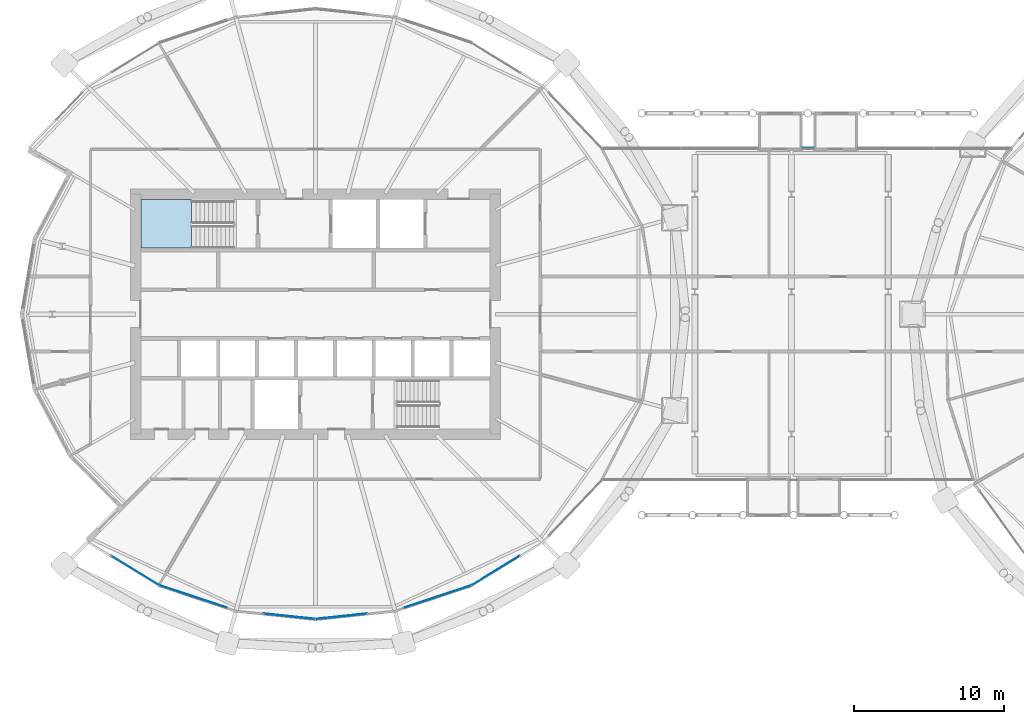
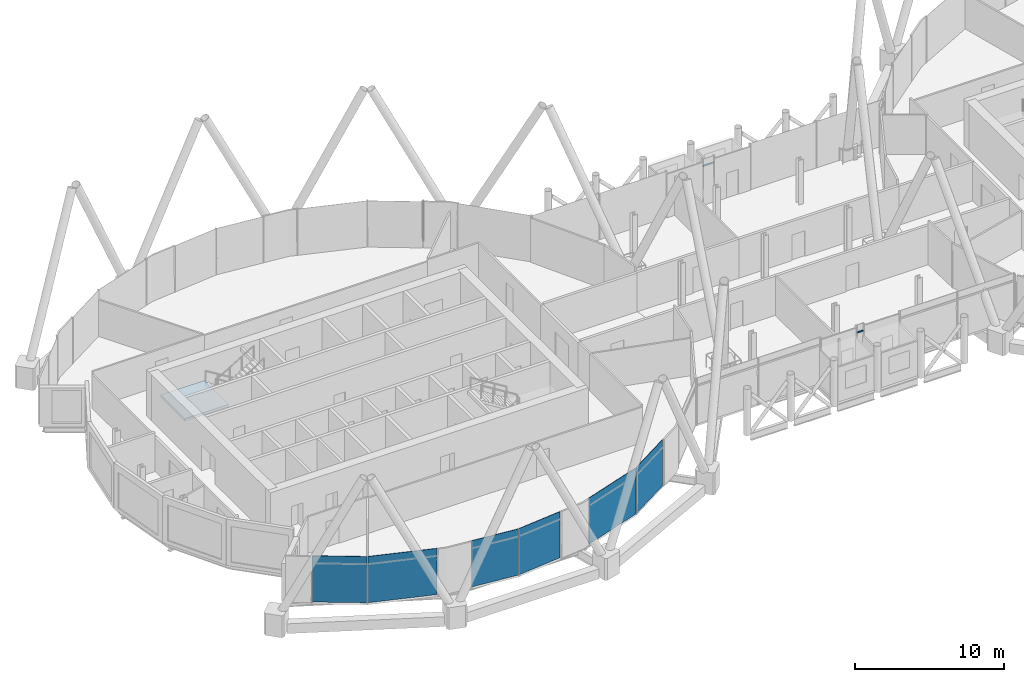
# One storey, part 19 of 35: 6 plates, 2 members, 1 slab, 4 elements without a shape of their own.
"""IFC4 building model written with IfcOpenShell, lengths in metres."""

from ifc_helpers import new_model, si_unit, direction, frame, origin, origin_2d, place, context, subcontext, project, spatial, polyline, rectangle, outline, extrude, material, layer, layer_set, material_profile, profile_set, type_object, element, aggregate, save


model = new_model("IFC4")

# Units and contexts
model_context = context("Model", 3, precision=1e-05, world=origin(), true_north=direction((0.0, 1.0)))
body_context = subcontext(model_context, "Body", "Model", "MODEL_VIEW")
ifc_project = project(units=[si_unit("LENGTHUNIT", "METRE"), si_unit("AREAUNIT", "SQUARE_METRE"), si_unit("VOLUMEUNIT", "CUBIC_METRE"), si_unit("PLANEANGLEUNIT", "RADIAN"), si_unit("MASSUNIT", "GRAM", prefix="KILO")], contexts=[model_context])

# Site, building, storey
site_placement = place(None, origin())
site = spatial("IfcSite", under=ifc_project, at=site_placement, CompositionType="ELEMENT")
building_placement = place(site_placement, origin())
building = spatial("IfcBuilding", under=site, at=building_placement, Name="Rimbun Link Towers", CompositionType="ELEMENT")
storey_placement = place(building_placement, frame((0.0, 0.0, 146.800048828125)))
storey = spatial("IfcBuildingStorey", under=building, at=storey_placement, Name="L35", CompositionType="ELEMENT", Elevation=146.800048828125)

# Curtain wall, member
ifc_material_1 = material(Name="Aluminium 6063-T6 and low-iron glass", Category="aluminium")
curtain_wall_type = type_object("IfcCurtainWallType", Name="CW4 link block wall", PredefinedType="NOTDEFINED", material=ifc_material_1)
curtain_wall_1_placement = place(storey_placement, origin())
curtain_wall_1 = element("IfcCurtainWall", 1, at=curtain_wall_1_placement, inside=storey, type_object=curtain_wall_type, Name="CW4 L35 LB", PredefinedType="NOTDEFINED")
ifc_material_2 = material(Name="Aluminium 6063-T6", Category="aluminium")
ifc_material_profile = material_profile(ifc_material_2, rectangle(XDim=0.06005859375, YDim=0.1201171875, at=origin_2d()), Name="TRANSOM 60X120")
ifc_profile_set = profile_set([ifc_material_profile], Name="Aluminium 6063-T6")
member_type = type_object("IfcMemberType", Name="CW4 transom 60X120", PredefinedType="USERDEFINED", material=ifc_profile_set)
member_1_placement = place(storey_placement, frame((0.6767578125, 11.05810546875, 3.199951171875), z_axis=(1.0, 0.0, 0.0), x_axis=(0.0, 1.0, 0.0)))
member_1 = element("IfcMember", 2, at=member_1_placement, type_object=member_type, Name="CW4 transom", ObjectType="TRANSOM", PredefinedType="USERDEFINED", context=body_context, shape_type="SweptSolid", body=[
    extrude(rectangle(XDim=0.06005859375, YDim=0.1201171875, at=origin_2d()), origin(), (0.0, 0.0, 1.0), 0.830078125),
])
aggregate(curtain_wall_1, [member_1])

curtain_wall_2_placement = place(storey_placement, origin())
curtain_wall_2 = element("IfcCurtainWall", 3, at=curtain_wall_2_placement, inside=storey, type_object=curtain_wall_type, Name="CW4 L35 LB", PredefinedType="NOTDEFINED")
member_2_placement = place(storey_placement, frame((0.38330078125, -11.05810546875, 3.199951171875), z_axis=(-1.0, 0.0, 0.0), x_axis=(0.0, -1.0, 0.0)))
member_2 = element("IfcMember", 4, at=member_2_placement, type_object=member_type, Name="CW4 transom", ObjectType="TRANSOM", PredefinedType="USERDEFINED", context=body_context, shape_type="SweptSolid", body=[
    extrude(rectangle(XDim=0.06005859375, YDim=0.1201171875, at=origin_2d()), origin(), (0.0, 0.0, 1.0), 0.509033203125),
])
aggregate(curtain_wall_2, [member_2])

# Curtain wall, plates
curtain_wall_3_placement = place(storey_placement, origin())
curtain_wall_3 = element("IfcCurtainWall", 5, at=curtain_wall_3_placement, inside=storey, type_object=curtain_wall_type, Name="CW4 L35 T1", PredefinedType="NOTDEFINED")
ifc_material_3 = material(Name="Low-iron glass, laminated low-e unit", Category="glass")
ifc_layer_1 = layer(ifc_material_3, 0.028076171875)
ifc_layer_set_1 = layer_set([ifc_layer_1], Name="CW4 panel Low-iron glass 28")
plate_type = type_object("IfcPlateType", Name="CW4 panel Low-iron glass 28", PredefinedType="CURTAIN_PANEL", material=ifc_layer_set_1)
plate_1_placement = place(storey_placement, frame((-43.7802734375, -17.088623046875, 0.0), z_axis=(0.0, 0.0, 1.0), x_axis=(-0.852194346217, 0.523225378089, 0.0)))
plate_1 = element("IfcPlate", 6, at=plate_1_placement, type_object=plate_type, Name="CW4 panel", PredefinedType="CURTAIN_PANEL", context=body_context, shape_type="SweptSolid", body=[
    extrude(rectangle(XDim=3.708740234375, YDim=0.028076171875, at=origin_2d()), origin(), (0.0, 0.0, 1.0), 3.800048828125),
])
plate_2_placement = place(storey_placement, frame((-39.89892578125, -18.82666015625, 0.0), z_axis=(0.0, 0.0, 1.0), x_axis=(-0.949234953763, 0.314567961741, 0.0)))
plate_2 = element("IfcPlate", 7, at=plate_2_placement, type_object=plate_type, Name="CW4 panel", PredefinedType="CURTAIN_PANEL", context=body_context, shape_type="SweptSolid", body=[
    extrude(rectangle(XDim=4.765869140625, YDim=0.028076171875, at=origin_2d()), origin(), (0.0, 0.0, 1.0), 3.800048828125),
])
plate_3_placement = place(storey_placement, frame((-33.478515625, -20.147705078125, 0.0), z_axis=(0.0, 0.0, 1.0), x_axis=(-0.994499069305, 0.104745411125, 0.0)))
plate_3 = element("IfcPlate", 8, at=plate_3_placement, type_object=plate_type, Name="CW4 panel", PredefinedType="CURTAIN_PANEL", context=body_context, shape_type="SweptSolid", body=[
    extrude(rectangle(XDim=3.433349609375, YDim=0.028076171875, at=origin_2d()), origin(), (0.0, 0.0, 1.0), 3.800048828125),
])
plate_4_placement = place(storey_placement, frame((-30.021484375, -20.147705078125, 0.0), z_axis=(0.0, 0.0, 1.0), x_axis=(-0.994499069305, -0.104745411125, 0.0)))
plate_4 = element("IfcPlate", 9, at=plate_4_placement, type_object=plate_type, Name="CW4 panel", PredefinedType="CURTAIN_PANEL", context=body_context, shape_type="SweptSolid", body=[
    extrude(rectangle(XDim=3.433349609375, YDim=0.028076171875, at=origin_2d()), origin(), (0.0, 0.0, 1.0), 3.800048828125),
])
plate_5_placement = place(storey_placement, frame((-23.60107421875, -18.82666015625, 0.0), z_axis=(0.0, 0.0, 1.0), x_axis=(-0.949234953763, -0.314567961741, 0.0)))
plate_5 = element("IfcPlate", 10, at=plate_5_placement, type_object=plate_type, Name="CW4 panel", PredefinedType="CURTAIN_PANEL", context=body_context, shape_type="SweptSolid", body=[
    extrude(rectangle(XDim=4.765869140625, YDim=0.028076171875, at=origin_2d()), origin(), (0.0, 0.0, 1.0), 3.800048828125),
])
plate_6_placement = place(storey_placement, frame((-19.7197265625, -17.088623046875, 0.0), z_axis=(0.0, 0.0, 1.0), x_axis=(-0.852194346217, -0.523225378089, 0.0)))
plate_6 = element("IfcPlate", 11, at=plate_6_placement, type_object=plate_type, Name="CW4 panel", PredefinedType="CURTAIN_PANEL", context=body_context, shape_type="SweptSolid", body=[
    extrude(rectangle(XDim=3.708740234375, YDim=0.028076171875, at=origin_2d()), origin(), (0.0, 0.0, 1.0), 3.800048828125),
])
aggregate(curtain_wall_3, [plate_1, plate_2, plate_3, plate_4, plate_5, plate_6])

# Stair, slab
ifc_material_4 = material(Name="Concrete C40/50", Category="concrete")
stair_type = type_object("IfcStairType", Name="Exit stair 3800 rise", PredefinedType="HALF_TURN_STAIR", material=ifc_material_4)
stair_placement = place(storey_placement, origin())
stair = element("IfcStair", 12, at=stair_placement, inside=storey, type_object=stair_type, Name="L35 EXIT STAIR A", PredefinedType="HALF_TURN_STAIR")
ifc_material_5 = material(Name="Concrete C40/50", Category="concrete")
ifc_layer_2 = layer(ifc_material_5, 0.199951171875)
ifc_layer_set_2 = layer_set([ifc_layer_2], Name="Stair landing")
slab_type = type_object("IfcSlabType", Name="Stair landing", PredefinedType="LANDING", material=ifc_layer_set_2)
slab_placement = place(storey_placement, frame((0.0, 0.0, 1.699951171875)))
slab = element("IfcSlab", 13, at=slab_placement, type_object=slab_type, Name="ST1 landing 1", PredefinedType="LANDING", context=body_context, shape_type="SweptSolid", body=[
    extrude(outline(polyline([(-40.0, 7.64990234375), (-43.39990234375, 7.64990234375), (-43.39990234375, 4.39990234375), (-40.0, 4.39990234375), (-40.0, 7.64990234375)])), origin(), (0.0, 0.0, 1.0), 0.199951171875),
])
aggregate(stair, [slab])

save(model, "model.ifc")
